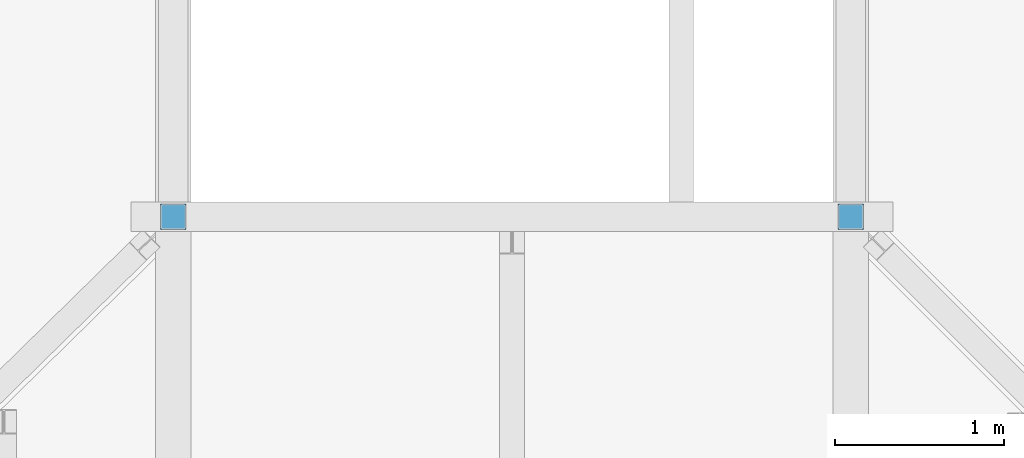
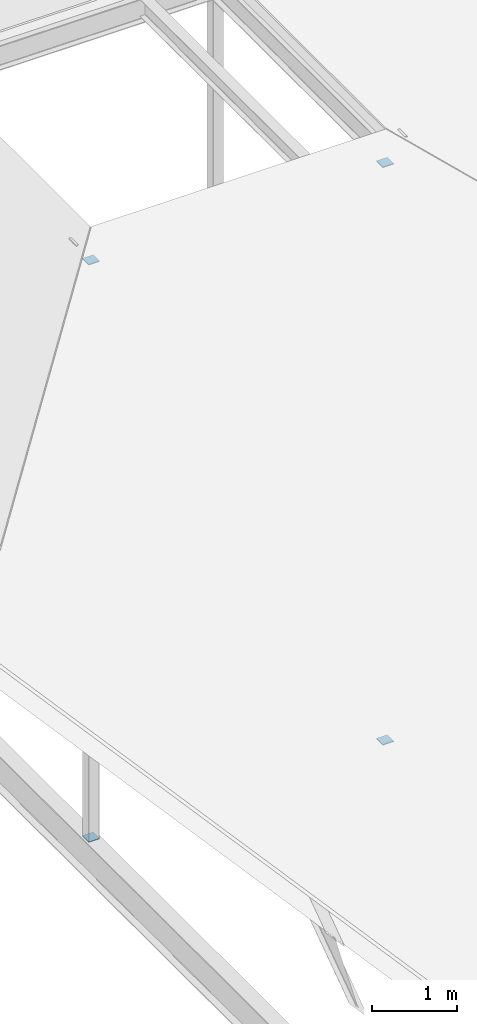
# One storey, part 88 of 118: 4 discrete accessories.
"""IFC4 building model written with IfcOpenShell, lengths in metres."""

import ifcopenshell
import ifcopenshell.guid

model = None  # the IFC model being written
_history = None  # IfcOwnerHistory: only IFC2X3 demands one
_inside = {}  # id of a spatial element -> (the spatial element, [elements in it])
_under = {}  # id of a project, library or spatial element -> (it, [spatial elements below it])
_declared = {}  # id of a project -> (the project, [libraries it declares])
_typed = {}  # id of a type object -> (the type object, [elements of that type])
_made_of = {}  # id of a material, layer set ... -> (it, [elements and type objects made of it])


def new_model(schema):
    """Start an empty IFC model of exactly this schema.

    Asked for "IFC4X3", IfcOpenShell would pick the latest addendum, in which some entities
    have other attributes; the version numbers below select the first issue.
    IFC2X3 requires an IfcOwnerHistory on every rooted entity: one is made here for all.
    """
    global model, _history
    if schema == "IFC4X3":
        model = ifcopenshell.file(schema_version=(4, 3, 0, 0))
    else:
        model = ifcopenshell.file(schema=schema)
    _inside.clear()
    _under.clear()
    _declared.clear()
    _typed.clear()
    _made_of.clear()
    _history = None
    if model.schema == "IFC2X3":
        org = make("IfcOrganization", Name="unknown")
        user = make(
            "IfcPersonAndOrganization",
            ThePerson=make("IfcPerson", FamilyName="unknown"),
            TheOrganization=org,
        )
        app = make(
            "IfcApplication",
            ApplicationDeveloper=org,
            Version="unknown",
            ApplicationFullName="unknown",
            ApplicationIdentifier="unknown",
        )
        _history = make(
            "IfcOwnerHistory",
            OwningUser=user,
            OwningApplication=app,
            ChangeAction="ADDED",
            CreationDate=0,
        )
    return model


def make(cls, **values):
    """One entity of the class cls with the attributes given. An attribute that is None is left unset."""
    return model.create_entity(
        cls, **{name: value for name, value in values.items() if value is not None}
    )


def rooted(cls, **values):
    """An entity with a GlobalId (a new one), such as an element, a storey or a relation."""
    return make(cls, GlobalId=ifcopenshell.guid.new(), OwnerHistory=_history, **values)


def si_unit(unit_type, name, prefix=None):
    """IfcSIUnit, for example si_unit("LENGTHUNIT", "METRE", prefix="MILLI")."""
    return make("IfcSIUnit", UnitType=unit_type, Prefix=prefix, Name=name)


def assignment(units):
    """IfcUnitAssignment: the units of a project."""
    return None if units is None else make("IfcUnitAssignment", Units=units)


def point(xyz):
    """IfcCartesianPoint."""
    return None if xyz is None else make("IfcCartesianPoint", Coordinates=xyz)


def direction(xyz):
    """IfcDirection."""
    return None if xyz is None else make("IfcDirection", DirectionRatios=xyz)


def frame(location, z_axis=None, x_axis=None):
    """IfcAxis2Placement3D, a coordinate frame: its origin and axes. An axis left out is left unset."""
    return make(
        "IfcAxis2Placement3D",
        Location=point(location),
        Axis=direction(z_axis),
        RefDirection=direction(x_axis),
    )


def frame_2d(location, x_axis=None):
    """IfcAxis2Placement2D, a coordinate frame in the plane: its origin and x axis."""
    return make(
        "IfcAxis2Placement2D", Location=point(location), RefDirection=direction(x_axis)
    )


def origin():
    """The frame at (0, 0, 0) with its axes left unset."""
    return frame((0.0, 0.0, 0.0))


def origin_2d():
    """The frame at (0, 0) in the plane with its x axis left unset."""
    return frame_2d((0.0, 0.0))


def place(relative_to, where):
    """IfcLocalPlacement: puts the frame where relative to a parent placement (None: the world)."""
    return make(
        "IfcLocalPlacement", PlacementRelTo=relative_to, RelativePlacement=where
    )


def context(
    kind, dimensions, precision=None, world=None, true_north=None, identifier=None
):
    """IfcGeometricRepresentationContext, for example the 3D "Model" context."""
    return make(
        "IfcGeometricRepresentationContext",
        ContextIdentifier=identifier,
        ContextType=kind,
        CoordinateSpaceDimension=dimensions,
        Precision=precision,
        WorldCoordinateSystem=world,
        TrueNorth=true_north,
    )


def subcontext(parent, identifier, kind, view, scale=None):
    """IfcGeometricRepresentationSubContext, for example "Body" below "Model"."""
    return make(
        "IfcGeometricRepresentationSubContext",
        ContextIdentifier=identifier,
        ContextType=kind,
        ParentContext=parent,
        TargetScale=scale,
        TargetView=view,
    )


def project(units=None, contexts=None):
    """IfcProject with its units and contexts."""
    return rooted(
        "IfcProject",
        Name="project",
        RepresentationContexts=contexts,
        UnitsInContext=assignment(units),
    )


def spatial(cls, under=None, at=None, **own):
    """A site, building, storey or space (cls), placed at a placement, below another one or the project."""
    s = rooted(cls, ObjectPlacement=at, **own)
    if under is not None:
        _under.setdefault(under.id(), (under, []))[1].append(s)
    return s


def profile(cls, at=None, kind="AREA", **sizes):
    """A parametric profile (cls). Its sizes go by their IFC names, for example OverallWidth=200.0."""
    return make(cls, ProfileType=kind, Position=at, **sizes)


def rectangle(**sizes):
    """IfcRectangleProfileDef."""
    return profile("IfcRectangleProfileDef", **sizes)


def extrude(swept, where, along, depth):
    """IfcExtrudedAreaSolid: the profile swept, set in the frame where, extruded along a direction by depth."""
    return make(
        "IfcExtrudedAreaSolid",
        SweptArea=swept,
        Position=where,
        ExtrudedDirection=direction(along),
        Depth=depth,
    )


def shape(context_of_items, identifier, shape_type, items):
    """IfcShapeRepresentation: the items that make up one representation, for example the "Body"."""
    return make(
        "IfcShapeRepresentation",
        ContextOfItems=context_of_items,
        RepresentationIdentifier=identifier,
        RepresentationType=shape_type,
        Items=items,
    )


def material(Name=None, Category=None):
    """IfcMaterial."""
    return make("IfcMaterial", Name=Name, Category=Category)


def material_profile(
    of_material, cross_section, Name=None, Category=None, Priority=None
):
    """IfcMaterialProfile: a cross section and its material."""
    return make(
        "IfcMaterialProfile",
        Name=Name,
        Material=of_material,
        Profile=cross_section,
        Priority=Priority,
        Category=Category,
    )


def profile_set(profiles, Name=None, composite=None):
    """IfcMaterialProfileSet."""
    return make(
        "IfcMaterialProfileSet",
        Name=Name,
        MaterialProfiles=profiles,
        CompositeProfile=composite,
    )


def made_of(thing, what):
    """Note that an element or type object is made of a material, layer set ...; save() writes the relation."""
    if what is not None:
        _made_of.setdefault(what.id(), (what, []))[1].append(thing)
    return thing


def type_object(cls, material=None, **own):
    """A type object (cls), such as IfcWallType, which elements share."""
    return made_of(rooted(cls, **own), material)


def element(
    cls,
    number,
    at=None,
    inside=None,
    cuts=None,
    type_object=None,
    material=None,
    context=None,
    identifier="Body",
    shape_type=None,
    held_by="IfcProductDefinitionShape",
    body=None,
    shapes=None,
    **own,
):
    """One element of the class cls, such as IfcWall. Its Tag is "e" and its number.

    at: its placement. inside: the storey or other place that contains it. cuts: it is an
    opening in that element (IfcRelVoidsElement). A single representation is given by context,
    identifier, shape_type and body (its items); several are given by shapes. held_by: the class
    of the entity that holds the representations. save() writes the other relations.
    """
    e = rooted(cls, Tag="e%d" % number, ObjectPlacement=at, **own)
    if body is not None:
        shapes = [shape(context, identifier, shape_type, body)]
    if shapes is not None:
        e.Representation = make(held_by, Representations=shapes)
    if inside is not None:
        _inside.setdefault(inside.id(), (inside, []))[1].append(e)
    if cuts is not None:
        rooted(
            "IfcRelVoidsElement", RelatingBuildingElement=cuts, RelatedOpeningElement=e
        )
    if type_object is not None:
        _typed.setdefault(type_object.id(), (type_object, []))[1].append(e)
    return made_of(e, material)


def aggregate(whole, parts):
    """IfcRelAggregates: a whole, such as a stair, and the parts it consists of."""
    return rooted("IfcRelAggregates", RelatingObject=whole, RelatedObjects=parts)


def save(model, path):
    """Write the relations noted so far, then the file.

    IfcRelAggregates (storeys below a building ...), IfcRelContainedInSpatialStructure (elements
    in a storey), IfcRelDefinesByType, IfcRelAssociatesMaterial and IfcRelDeclares: one each for
    every whole, place, type object, material and project.
    """
    for whole, parts in _under.values():
        aggregate(whole, parts)
    for where, things in _inside.values():
        rooted(
            "IfcRelContainedInSpatialStructure",
            RelatedElements=things,
            RelatingStructure=where,
        )
    for kind, things in _typed.values():
        rooted("IfcRelDefinesByType", RelatedObjects=things, RelatingType=kind)
    for what, things in _made_of.values():
        rooted("IfcRelAssociatesMaterial", RelatedObjects=things, RelatingMaterial=what)
    for by, libraries in _declared.values():
        rooted("IfcRelDeclares", RelatingContext=by, RelatedDefinitions=libraries)
    model.write(path)


model = new_model("IFC4")

# Units and contexts
model_context = context("Model", 3, precision=1e-05, world=origin(), true_north=direction((0.0, 1.0)))
body_context = subcontext(model_context, "Body", "Model", "MODEL_VIEW")
ifc_project = project(units=[si_unit("LENGTHUNIT", "METRE"), si_unit("AREAUNIT", "SQUARE_METRE"), si_unit("VOLUMEUNIT", "CUBIC_METRE"), si_unit("PLANEANGLEUNIT", "RADIAN"), si_unit("MASSUNIT", "GRAM", prefix="KILO")], contexts=[model_context])

# Site, building, storey
site_placement = place(None, origin())
site = spatial("IfcSite", under=ifc_project, at=site_placement, CompositionType="ELEMENT")
building_placement = place(site_placement, origin())
building = spatial("IfcBuilding", under=site, at=building_placement, Name="Saffron Lane Theatres", CompositionType="ELEMENT")
storey_placement = place(building_placement, frame((0.0, 0.0, 16.5)))
storey = spatial("IfcBuildingStorey", under=building, at=storey_placement, Name="L03", CompositionType="ELEMENT", Elevation=16.5)

# Discrete accessories
ifc_material = material(Name="Steel Grade 350", Category="steel")
ifc_material_profile = material_profile(ifc_material, rectangle(XDim=0.14990234375, YDim=0.14990234375, at=origin_2d()))
ifc_profile_set = profile_set([ifc_material_profile], Name="Steel Grade 350")
discrete_accessory_type = type_object("IfcDiscreteAccessoryType", Name="ST-STEEL END CAP 150x150x9 SHS", PredefinedType="ANCHORPLATE", material=ifc_profile_set)
for number, where, z_axis, x_axis, name in (
    (1, (49.0, 13.0, 1.220947265625), (0.0, 0.0, 1.0), (1.0, 0.0, 0.0), "EC607"),
    (2, (49.0, 13.0, 9.52099609375), (0.0, 0.0, 1.0), (1.0, 0.0, 0.0), "EC608"),
    (3, (53.0, 13.0, 1.220947265625), (0.0, 0.0, 1.0), (1.0, 0.0, 0.0), "EC611"),
    (4, (53.0, 13.0, 9.52099609375), (0.0, 0.0, 1.0), (1.0, 0.0, 0.0), "EC612"),
):
    element("IfcDiscreteAccessory", number, at=place(storey_placement, frame(where, z_axis=z_axis, x_axis=x_axis)), inside=storey, type_object=discrete_accessory_type, Name=name, PredefinedType="ANCHORPLATE", context=body_context, shape_type="SweptSolid", body=[
        extrude(rectangle(XDim=0.14990234375, YDim=0.14990234375, at=origin_2d()), origin(), (0.0, 0.0, 1.0), 0.011962890625),
    ])

save(model, "model.ifc")
